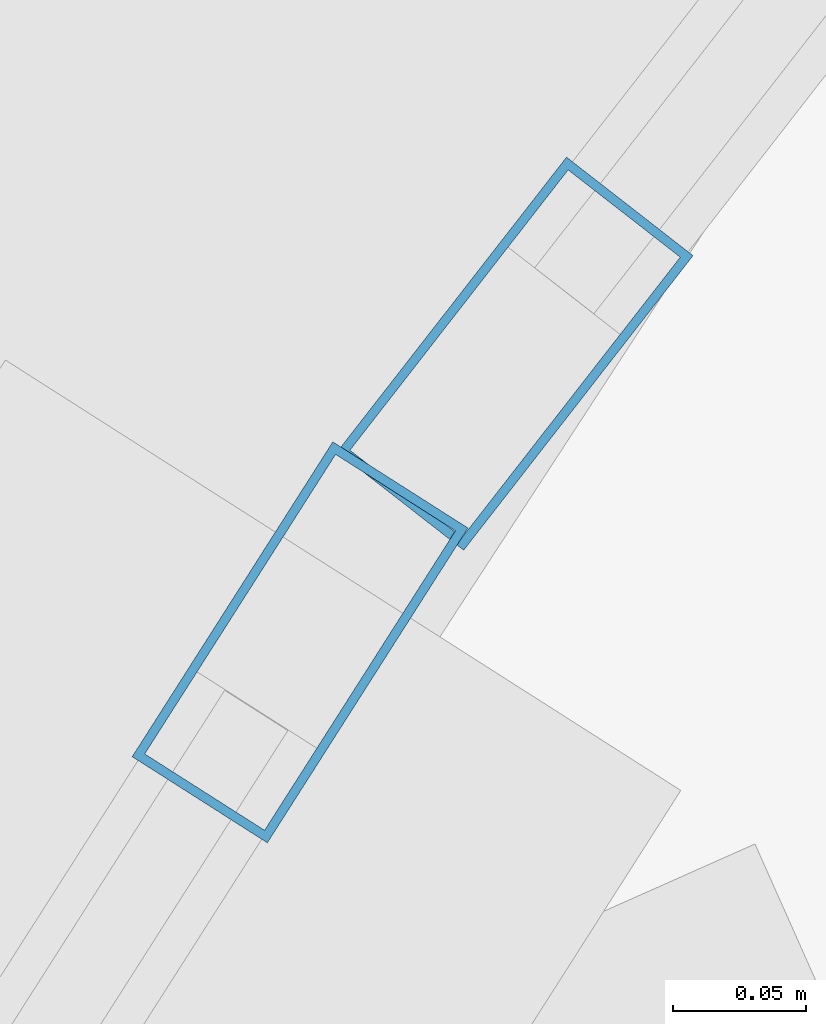
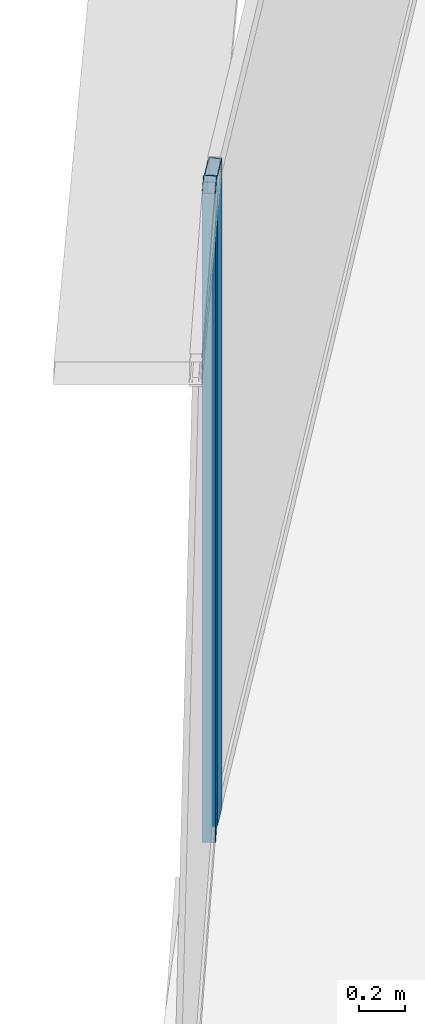
# One storey, part 22 of 39: 2 members, 2 elements without a shape of their own.
"""IFC4 building model written with IfcOpenShell, lengths in metres."""

import ifcopenshell
import ifcopenshell.guid

model = None  # the IFC model being written
_history = None  # IfcOwnerHistory: only IFC2X3 demands one
_inside = {}  # id of a spatial element -> (the spatial element, [elements in it])
_under = {}  # id of a project, library or spatial element -> (it, [spatial elements below it])
_declared = {}  # id of a project -> (the project, [libraries it declares])
_typed = {}  # id of a type object -> (the type object, [elements of that type])
_made_of = {}  # id of a material, layer set ... -> (it, [elements and type objects made of it])


def new_model(schema):
    """Start an empty IFC model of exactly this schema.

    Asked for "IFC4X3", IfcOpenShell would pick the latest addendum, in which some entities
    have other attributes; the version numbers below select the first issue.
    IFC2X3 requires an IfcOwnerHistory on every rooted entity: one is made here for all.
    """
    global model, _history
    if schema == "IFC4X3":
        model = ifcopenshell.file(schema_version=(4, 3, 0, 0))
    else:
        model = ifcopenshell.file(schema=schema)
    _inside.clear()
    _under.clear()
    _declared.clear()
    _typed.clear()
    _made_of.clear()
    _history = None
    if model.schema == "IFC2X3":
        org = make("IfcOrganization", Name="unknown")
        user = make(
            "IfcPersonAndOrganization",
            ThePerson=make("IfcPerson", FamilyName="unknown"),
            TheOrganization=org,
        )
        app = make(
            "IfcApplication",
            ApplicationDeveloper=org,
            Version="unknown",
            ApplicationFullName="unknown",
            ApplicationIdentifier="unknown",
        )
        _history = make(
            "IfcOwnerHistory",
            OwningUser=user,
            OwningApplication=app,
            ChangeAction="ADDED",
            CreationDate=0,
        )
    return model


def make(cls, **values):
    """One entity of the class cls with the attributes given. An attribute that is None is left unset."""
    return model.create_entity(
        cls, **{name: value for name, value in values.items() if value is not None}
    )


def rooted(cls, **values):
    """An entity with a GlobalId (a new one), such as an element, a storey or a relation."""
    return make(cls, GlobalId=ifcopenshell.guid.new(), OwnerHistory=_history, **values)


def si_unit(unit_type, name, prefix=None):
    """IfcSIUnit, for example si_unit("LENGTHUNIT", "METRE", prefix="MILLI")."""
    return make("IfcSIUnit", UnitType=unit_type, Prefix=prefix, Name=name)


def assignment(units):
    """IfcUnitAssignment: the units of a project."""
    return None if units is None else make("IfcUnitAssignment", Units=units)


def point(xyz):
    """IfcCartesianPoint."""
    return None if xyz is None else make("IfcCartesianPoint", Coordinates=xyz)


def direction(xyz):
    """IfcDirection."""
    return None if xyz is None else make("IfcDirection", DirectionRatios=xyz)


def frame(location, z_axis=None, x_axis=None):
    """IfcAxis2Placement3D, a coordinate frame: its origin and axes. An axis left out is left unset."""
    return make(
        "IfcAxis2Placement3D",
        Location=point(location),
        Axis=direction(z_axis),
        RefDirection=direction(x_axis),
    )


def frame_2d(location, x_axis=None):
    """IfcAxis2Placement2D, a coordinate frame in the plane: its origin and x axis."""
    return make(
        "IfcAxis2Placement2D", Location=point(location), RefDirection=direction(x_axis)
    )


def origin():
    """The frame at (0, 0, 0) with its axes left unset."""
    return frame((0.0, 0.0, 0.0))


def origin_2d():
    """The frame at (0, 0) in the plane with its x axis left unset."""
    return frame_2d((0.0, 0.0))


def place(relative_to, where):
    """IfcLocalPlacement: puts the frame where relative to a parent placement (None: the world)."""
    return make(
        "IfcLocalPlacement", PlacementRelTo=relative_to, RelativePlacement=where
    )


def context(
    kind, dimensions, precision=None, world=None, true_north=None, identifier=None
):
    """IfcGeometricRepresentationContext, for example the 3D "Model" context."""
    return make(
        "IfcGeometricRepresentationContext",
        ContextIdentifier=identifier,
        ContextType=kind,
        CoordinateSpaceDimension=dimensions,
        Precision=precision,
        WorldCoordinateSystem=world,
        TrueNorth=true_north,
    )


def subcontext(parent, identifier, kind, view, scale=None):
    """IfcGeometricRepresentationSubContext, for example "Body" below "Model"."""
    return make(
        "IfcGeometricRepresentationSubContext",
        ContextIdentifier=identifier,
        ContextType=kind,
        ParentContext=parent,
        TargetScale=scale,
        TargetView=view,
    )


def project(units=None, contexts=None):
    """IfcProject with its units and contexts."""
    return rooted(
        "IfcProject",
        Name="project",
        RepresentationContexts=contexts,
        UnitsInContext=assignment(units),
    )


def spatial(cls, under=None, at=None, **own):
    """A site, building, storey or space (cls), placed at a placement, below another one or the project."""
    s = rooted(cls, ObjectPlacement=at, **own)
    if under is not None:
        _under.setdefault(under.id(), (under, []))[1].append(s)
    return s


def profile(cls, at=None, kind="AREA", **sizes):
    """A parametric profile (cls). Its sizes go by their IFC names, for example OverallWidth=200.0."""
    return make(cls, ProfileType=kind, Position=at, **sizes)


def hollow_rectangle(**sizes):
    """IfcRectangleHollowProfileDef."""
    return profile("IfcRectangleHollowProfileDef", **sizes)


def extrude(swept, where, along, depth):
    """IfcExtrudedAreaSolid: the profile swept, set in the frame where, extruded along a direction by depth."""
    return make(
        "IfcExtrudedAreaSolid",
        SweptArea=swept,
        Position=where,
        ExtrudedDirection=direction(along),
        Depth=depth,
    )


def shape(context_of_items, identifier, shape_type, items):
    """IfcShapeRepresentation: the items that make up one representation, for example the "Body"."""
    return make(
        "IfcShapeRepresentation",
        ContextOfItems=context_of_items,
        RepresentationIdentifier=identifier,
        RepresentationType=shape_type,
        Items=items,
    )


def source(mapping_origin, context_of_items, identifier, shape_type, items):
    """IfcRepresentationMap: a shape defined once, which mapped items show again and again."""
    return make(
        "IfcRepresentationMap",
        MappingOrigin=mapping_origin,
        MappedRepresentation=shape(context_of_items, identifier, shape_type, items),
    )


def transform(
    local_origin,
    x_axis=None,
    y_axis=None,
    z_axis=None,
    scale=None,
    scale2=None,
    scale3=None,
    uniform=True,
):
    """IfcCartesianTransformationOperator3D, or its non-uniform kind. x_axis, y_axis, z_axis: its Axis1, 2, 3."""
    if uniform:
        return make(
            "IfcCartesianTransformationOperator3D",
            Axis1=direction(x_axis),
            Axis2=direction(y_axis),
            LocalOrigin=point(local_origin),
            Scale=scale,
            Axis3=direction(z_axis),
        )
    return make(
        "IfcCartesianTransformationOperator3DnonUniform",
        Axis1=direction(x_axis),
        Axis2=direction(y_axis),
        LocalOrigin=point(local_origin),
        Scale=scale,
        Axis3=direction(z_axis),
        Scale2=scale2,
        Scale3=scale3,
    )


def mapped(mapping_source, mapping_target):
    """IfcMappedItem: shows the shape of a source again, moved by a transform."""
    return make(
        "IfcMappedItem", MappingSource=mapping_source, MappingTarget=mapping_target
    )


def material(Name=None, Category=None):
    """IfcMaterial."""
    return make("IfcMaterial", Name=Name, Category=Category)


def layer(
    of_material, thickness, ventilated=None, Name=None, Category=None, Priority=None
):
    """IfcMaterialLayer: one layer of a wall or slab, of a material (None: an air gap)."""
    return make(
        "IfcMaterialLayer",
        Material=of_material,
        LayerThickness=thickness,
        IsVentilated=ventilated,
        Name=Name,
        Category=Category,
        Priority=Priority,
    )


def layer_set(layers, Name=None):
    """IfcMaterialLayerSet."""
    return make("IfcMaterialLayerSet", MaterialLayers=layers, LayerSetName=Name)


def material_profile(
    of_material, cross_section, Name=None, Category=None, Priority=None
):
    """IfcMaterialProfile: a cross section and its material."""
    return make(
        "IfcMaterialProfile",
        Name=Name,
        Material=of_material,
        Profile=cross_section,
        Priority=Priority,
        Category=Category,
    )


def profile_set(profiles, Name=None, composite=None):
    """IfcMaterialProfileSet."""
    return make(
        "IfcMaterialProfileSet",
        Name=Name,
        MaterialProfiles=profiles,
        CompositeProfile=composite,
    )


def made_of(thing, what):
    """Note that an element or type object is made of a material, layer set ...; save() writes the relation."""
    if what is not None:
        _made_of.setdefault(what.id(), (what, []))[1].append(thing)
    return thing


def type_object(cls, material=None, **own):
    """A type object (cls), such as IfcWallType, which elements share."""
    return made_of(rooted(cls, **own), material)


def element(
    cls,
    number,
    at=None,
    inside=None,
    cuts=None,
    type_object=None,
    material=None,
    context=None,
    identifier="Body",
    shape_type=None,
    held_by="IfcProductDefinitionShape",
    body=None,
    shapes=None,
    **own,
):
    """One element of the class cls, such as IfcWall. Its Tag is "e" and its number.

    at: its placement. inside: the storey or other place that contains it. cuts: it is an
    opening in that element (IfcRelVoidsElement). A single representation is given by context,
    identifier, shape_type and body (its items); several are given by shapes. held_by: the class
    of the entity that holds the representations. save() writes the other relations.
    """
    e = rooted(cls, Tag="e%d" % number, ObjectPlacement=at, **own)
    if body is not None:
        shapes = [shape(context, identifier, shape_type, body)]
    if shapes is not None:
        e.Representation = make(held_by, Representations=shapes)
    if inside is not None:
        _inside.setdefault(inside.id(), (inside, []))[1].append(e)
    if cuts is not None:
        rooted(
            "IfcRelVoidsElement", RelatingBuildingElement=cuts, RelatedOpeningElement=e
        )
    if type_object is not None:
        _typed.setdefault(type_object.id(), (type_object, []))[1].append(e)
    return made_of(e, material)


def aggregate(whole, parts):
    """IfcRelAggregates: a whole, such as a stair, and the parts it consists of."""
    return rooted("IfcRelAggregates", RelatingObject=whole, RelatedObjects=parts)


def save(model, path):
    """Write the relations noted so far, then the file.

    IfcRelAggregates (storeys below a building ...), IfcRelContainedInSpatialStructure (elements
    in a storey), IfcRelDefinesByType, IfcRelAssociatesMaterial and IfcRelDeclares: one each for
    every whole, place, type object, material and project.
    """
    for whole, parts in _under.values():
        aggregate(whole, parts)
    for where, things in _inside.values():
        rooted(
            "IfcRelContainedInSpatialStructure",
            RelatedElements=things,
            RelatingStructure=where,
        )
    for kind, things in _typed.values():
        rooted("IfcRelDefinesByType", RelatedObjects=things, RelatingType=kind)
    for what, things in _made_of.values():
        rooted("IfcRelAssociatesMaterial", RelatedObjects=things, RelatingMaterial=what)
    for by, libraries in _declared.values():
        rooted("IfcRelDeclares", RelatingContext=by, RelatedDefinitions=libraries)
    model.write(path)


model = new_model("IFC4")

# Units and contexts
model_context = context("Model", 3, precision=1e-05, world=origin(), true_north=direction((0.0, 1.0)))
body_context = subcontext(model_context, "Body", "Model", "MODEL_VIEW")
ifc_project = project(units=[si_unit("LENGTHUNIT", "METRE"), si_unit("AREAUNIT", "SQUARE_METRE"), si_unit("VOLUMEUNIT", "CUBIC_METRE"), si_unit("PLANEANGLEUNIT", "RADIAN"), si_unit("MASSUNIT", "GRAM", prefix="KILO"), si_unit("THERMODYNAMICTEMPERATUREUNIT", "KELVIN"), si_unit("POWERUNIT", "WATT")], contexts=[model_context])

# Site, building, storey
site_placement = place(None, origin())
site = spatial("IfcSite", under=ifc_project, at=site_placement, CompositionType="ELEMENT")
building_placement = place(site_placement, origin())
building = spatial("IfcBuilding", under=site, at=building_placement, Name="Yunzhuo Pagoda Commons", CompositionType="ELEMENT")
storey_placement = place(building_placement, frame((0.0, 0.0, 296.2099609375)))
storey = spatial("IfcBuildingStorey", under=building, at=storey_placement, Name="L74", CompositionType="ELEMENT", Elevation=296.2099609375)

# Curtain wall, member
ifc_material = material(Name="Anodized aluminium 6063-T6", Category="aluminium")
ifc_layer = layer(ifc_material, 0.139892578125)
ifc_layer_set = layer_set([ifc_layer], Name="Anodized aluminium 6063-T6")
curtain_wall_type = type_object("IfcCurtainWallType", Name="CW-HI High-Zone Ribbon Curtain Wall", PredefinedType="NOTDEFINED", material=ifc_layer_set)
curtain_wall_1_placement = place(storey_placement, origin())
curtain_wall_1 = element("IfcCurtainWall", 1, at=curtain_wall_1_placement, inside=storey, type_object=curtain_wall_type, Name="L74 curtain wall CW-L74-F3B2", PredefinedType="NOTDEFINED")
ifc_material_profile = material_profile(ifc_material, hollow_rectangle(XDim=0.06005859375, YDim=0.139892578125, WallThickness=0.00341796875, at=origin_2d()), Name="Anodized aluminium 6063-T6")
ifc_profile_set = profile_set([ifc_material_profile], Name="Anodized aluminium 6063-T6")
member_type = type_object("IfcMemberType", Name="CW-HI-M Mullion RHS 140x60x3.5", PredefinedType="MULLION", material=ifc_profile_set)
shared_shape = source(origin(), body_context, "Body", "SweptSolid", [
    extrude(hollow_rectangle(XDim=0.06005859375, YDim=0.139892578125, WallThickness=0.00341796875, at=origin_2d()), origin(), (0.0, 0.0, 1.0), 3.469970703125),
])
member_1_placement = place(storey_placement, frame((34.79638671875, 63.29443359375, 0.0), z_axis=(0.0, 0.0, 1.0), x_axis=(0.84332965014, -0.537396595816, 0.0)))
member_1 = element("IfcMember", 2, at=member_1_placement, type_object=member_type, Name="CW mullion 1", PredefinedType="MULLION", context=body_context, shape_type="MappedRepresentation", body=[
    mapped(shared_shape, transform((0.0, 0.0, 0.0), scale=1.0)),
])
aggregate(curtain_wall_1, [member_1])

curtain_wall_2_placement = place(storey_placement, origin())
curtain_wall_2 = element("IfcCurtainWall", 3, at=curtain_wall_2_placement, inside=storey, type_object=curtain_wall_type, Name="L74 curtain wall CW-L74-F3B1", PredefinedType="NOTDEFINED")
member_2_placement = place(storey_placement, frame((34.876953125, 63.402587890625, 0.0), z_axis=(0.0, 0.0, 1.0), x_axis=(0.789102923127, -0.614261000482, 0.0)))
member_2 = element("IfcMember", 4, at=member_2_placement, type_object=member_type, Name="CW mullion 2", PredefinedType="MULLION", context=body_context, shape_type="MappedRepresentation", body=[
    mapped(shared_shape, transform((0.0, 0.0, 0.0), scale=1.0)),
])
aggregate(curtain_wall_2, [member_2])

save(model, "model.ifc")
